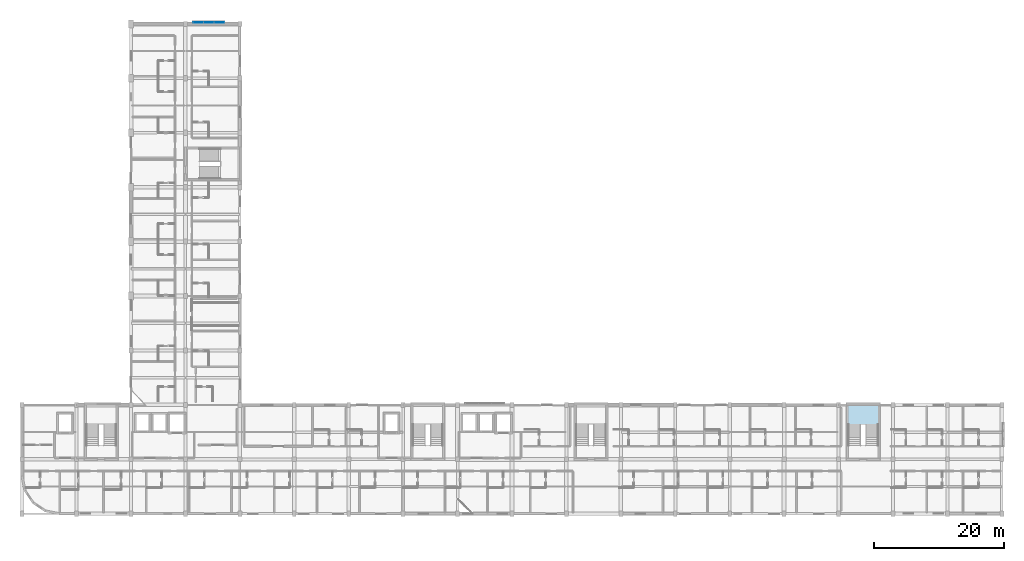
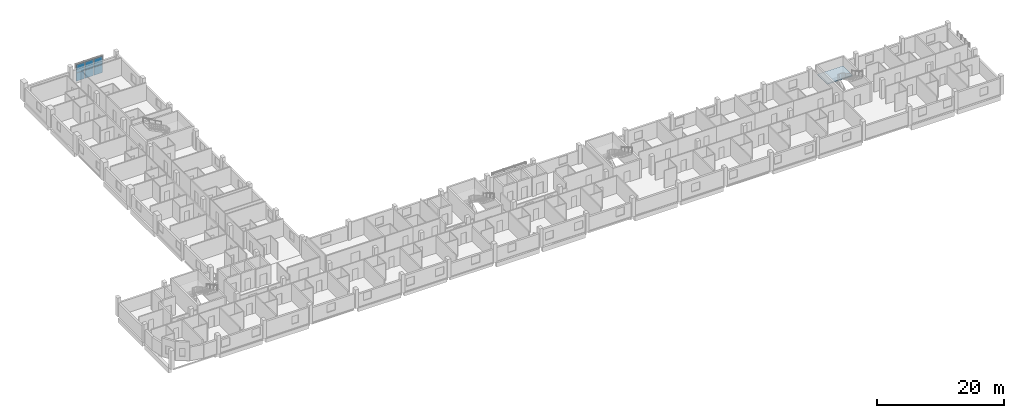
# One storey, part 10 of 26: 6 plates, 1 slab, 2 elements without a shape of their own.
"""IFC4 building model written with IfcOpenShell, lengths in metres."""

from ifc_helpers import new_model, si_unit, derived_unit, direction, frame, origin, origin_2d, place, context, subcontext, project, spatial, polyline, rectangle, outline, extrude, material, layer, layer_set, type_object, element, aggregate, save


model = new_model("IFC4")

# Units and contexts
model_context = context("Model", 3, precision=1e-05, world=origin(), true_north=direction((0.0, 1.0)))
body_context = subcontext(model_context, "Body", "Model", "MODEL_VIEW")
ifc_project = project(units=[si_unit("LENGTHUNIT", "METRE"), si_unit("AREAUNIT", "SQUARE_METRE"), si_unit("VOLUMEUNIT", "CUBIC_METRE"), si_unit("PLANEANGLEUNIT", "RADIAN"), si_unit("MASSUNIT", "GRAM", prefix="KILO"), derived_unit("THERMALTRANSMITTANCEUNIT", [(si_unit("POWERUNIT", "WATT"), 1), (si_unit("LENGTHUNIT", "METRE"), -2), (si_unit("THERMODYNAMICTEMPERATUREUNIT", "KELVIN"), -1)])], contexts=[model_context])

# Site, building, storey
site_placement = place(None, origin())
site = spatial("IfcSite", under=ifc_project, at=site_placement, CompositionType="ELEMENT")
building_placement = place(site_placement, origin())
building = spatial("IfcBuilding", under=site, at=building_placement, Name="Barrovel Congress Hotel", CompositionType="ELEMENT")
storey_placement = place(building_placement, frame((0.0, 0.0, 21.89990234375)))
storey = spatial("IfcBuildingStorey", under=building, at=storey_placement, Name="L05", CompositionType="ELEMENT", Elevation=21.89990234375)

# Curtain wall, plates
ifc_material_1 = material(Name="Anodised Aluminium Alloy 6063-T6", Category="aluminium")
curtain_wall_type = type_object("IfcCurtainWallType", Name="CW-UN-4800x3200", PredefinedType="USERDEFINED", material=ifc_material_1)
curtain_wall_placement = place(storey_placement, origin())
curtain_wall = element("IfcCurtainWall", 1, at=curtain_wall_placement, inside=storey, type_object=curtain_wall_type, Name="CW:L05:UN-2", ObjectType="UNITISED CURTAIN WALL", PredefinedType="USERDEFINED")
ifc_material_2 = material(Name="Double Low-E Insulated Glazing", Category="glass")
ifc_layer_1 = layer(ifc_material_2, 0.028076171875)
ifc_layer_set_1 = layer_set([ifc_layer_1], Name="Double Low-E Insulated Glazing")
plate_type = type_object("IfcPlateType", Name="CWP-28", PredefinedType="CURTAIN_PANEL", material=ifc_layer_set_1)
plate_1_placement = place(storey_placement, frame((44.0, 80.02001953125, 0.030029296875), z_axis=(0.0, 0.0, 1.0), x_axis=(1.0, 0.0, 0.0)))
plate_1 = element("IfcPlate", 2, at=plate_1_placement, type_object=plate_type, Name="CW:L05:UN-2:P0-0", PredefinedType="CURTAIN_PANEL", context=body_context, shape_type="SweptSolid", body=[
    extrude(rectangle(XDim=1.5400390625, YDim=0.028076171875, at=origin_2d()), origin(), (0.0, 0.0, 1.0), 1.56494140625),
])
plate_2_placement = place(storey_placement, frame((44.0, 80.02001953125, 1.655029296875), z_axis=(0.0, 0.0, 1.0), x_axis=(1.0, 0.0, 0.0)))
plate_2 = element("IfcPlate", 3, at=plate_2_placement, type_object=plate_type, Name="CW:L05:UN-2:P0-1", PredefinedType="CURTAIN_PANEL", context=body_context, shape_type="SweptSolid", body=[
    extrude(rectangle(XDim=1.5400390625, YDim=0.028076171875, at=origin_2d()), origin(), (0.0, 0.0, 1.0), 1.56494140625),
])
plate_3_placement = place(storey_placement, frame((45.60009765625, 80.02001953125, 0.030029296875), z_axis=(0.0, 0.0, 1.0), x_axis=(1.0, 0.0, 0.0)))
plate_3 = element("IfcPlate", 4, at=plate_3_placement, type_object=plate_type, Name="CW:L05:UN-2:P1-0", PredefinedType="CURTAIN_PANEL", context=body_context, shape_type="SweptSolid", body=[
    extrude(rectangle(XDim=1.5400390625, YDim=0.028076171875, at=origin_2d()), origin(), (0.0, 0.0, 1.0), 1.56494140625),
])
plate_4_placement = place(storey_placement, frame((45.60009765625, 80.02001953125, 1.655029296875), z_axis=(0.0, 0.0, 1.0), x_axis=(1.0, 0.0, 0.0)))
plate_4 = element("IfcPlate", 5, at=plate_4_placement, type_object=plate_type, Name="CW:L05:UN-2:P1-1", PredefinedType="CURTAIN_PANEL", context=body_context, shape_type="SweptSolid", body=[
    extrude(rectangle(XDim=1.5400390625, YDim=0.028076171875, at=origin_2d()), origin(), (0.0, 0.0, 1.0), 1.56494140625),
])
plate_5_placement = place(storey_placement, frame((47.199951171875, 80.02001953125, 0.030029296875), z_axis=(0.0, 0.0, 1.0), x_axis=(1.0, 0.0, 0.0)))
plate_5 = element("IfcPlate", 6, at=plate_5_placement, type_object=plate_type, Name="CW:L05:UN-2:P2-0", PredefinedType="CURTAIN_PANEL", context=body_context, shape_type="SweptSolid", body=[
    extrude(rectangle(XDim=1.5400390625, YDim=0.028076171875, at=origin_2d()), origin(), (0.0, 0.0, 1.0), 1.56494140625),
])
plate_6_placement = place(storey_placement, frame((47.199951171875, 80.02001953125, 1.655029296875), z_axis=(0.0, 0.0, 1.0), x_axis=(1.0, 0.0, 0.0)))
plate_6 = element("IfcPlate", 7, at=plate_6_placement, type_object=plate_type, Name="CW:L05:UN-2:P2-1", PredefinedType="CURTAIN_PANEL", context=body_context, shape_type="SweptSolid", body=[
    extrude(rectangle(XDim=1.5400390625, YDim=0.028076171875, at=origin_2d()), origin(), (0.0, 0.0, 1.0), 1.56494140625),
])
aggregate(curtain_wall, [plate_1, plate_2, plate_3, plate_4, plate_5, plate_6])

# Stair, slab
ifc_material_3 = material(Name="Concrete C40", Category="concrete")
stair_type = type_object("IfcStairType", Name="STR-HT-360", PredefinedType="HALF_TURN_STAIR", material=ifc_material_3)
stair_placement = place(storey_placement, origin())
stair = element("IfcStair", 8, at=stair_placement, inside=storey, type_object=stair_type, Name="Exit Stair XS-04 (L05)", PredefinedType="HALF_TURN_STAIR")
ifc_layer_2 = layer(ifc_material_3, 0.18994140625)
ifc_layer_set_2 = layer_set([ifc_layer_2], Name="Concrete C40")
slab_type = type_object("IfcSlabType", Name="SL-LDG-190", PredefinedType="LANDING", material=ifc_layer_set_2)
slab_placement = place(storey_placement, frame((0.0, 0.0, 1.610107421875)))
slab = element("IfcSlab", 9, at=slab_placement, type_object=slab_type, Name="STAIR:XS-04:L05:LDG", PredefinedType="LANDING", context=body_context, shape_type="SweptSolid", body=[
    extrude(outline(polyline([(144.280029296875, 18.010009765625), (148.919921875, 18.010009765625), (148.919921875, 21.02001953125), (144.280029296875, 21.02001953125), (144.280029296875, 18.010009765625)])), origin(), (0.0, 0.0, 1.0), 0.18994140625),
])
aggregate(stair, [slab])

save(model, "model.ifc")
